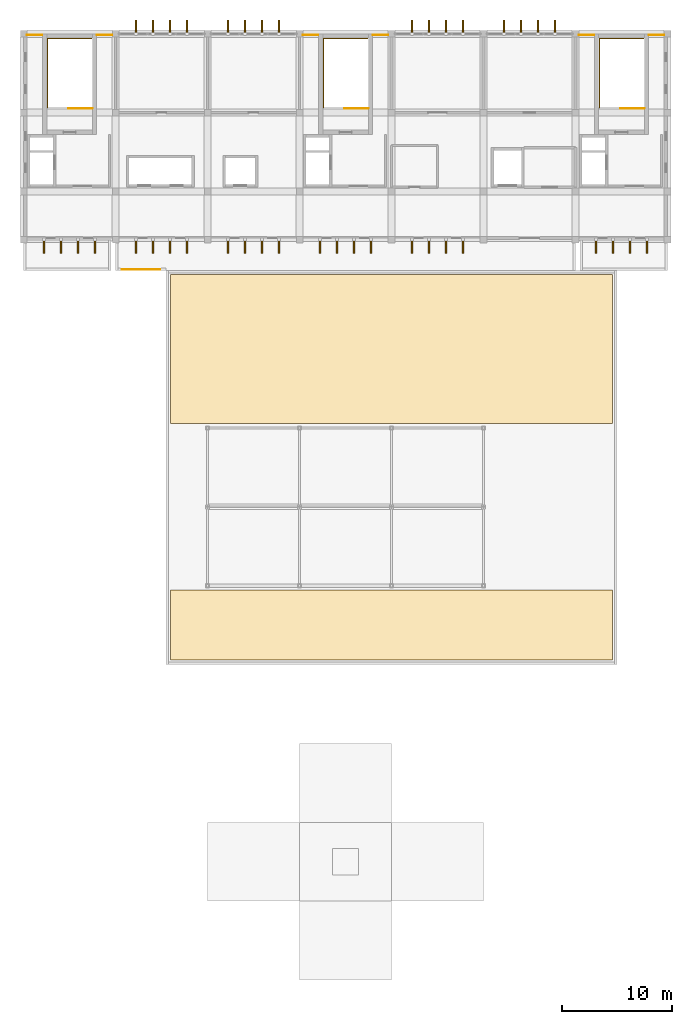
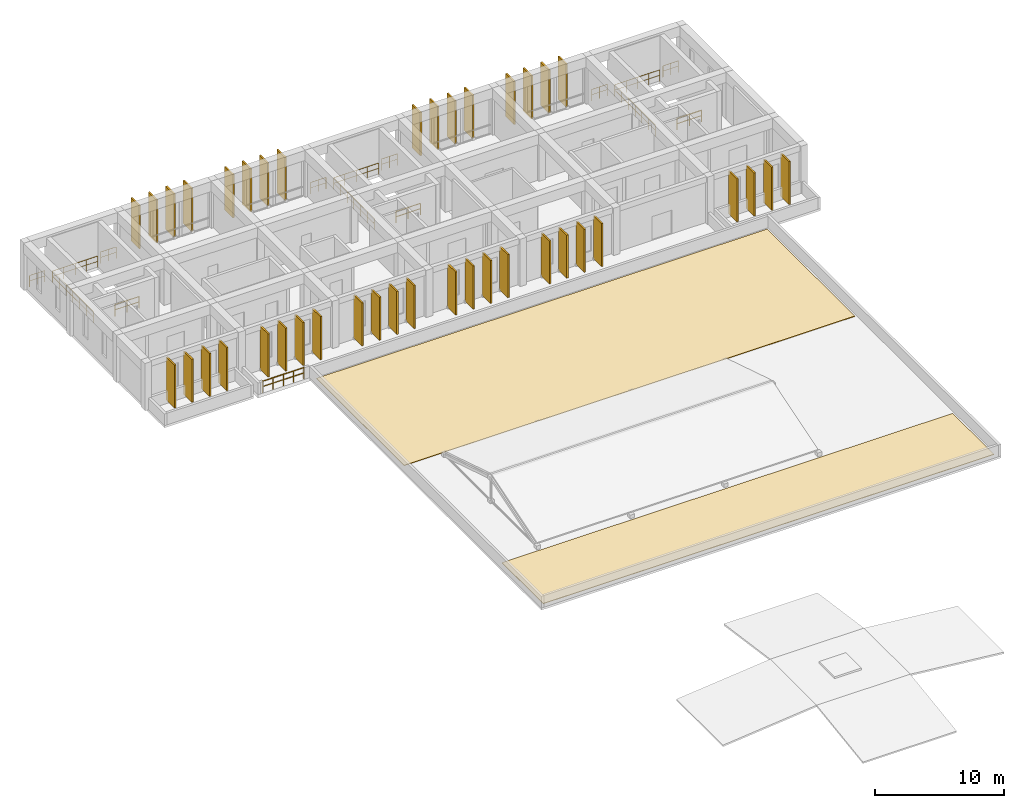
# One storey, part 16 of 16: 40 shading devices, 13 railings, 2 coverings.
"""IFC4 building model written with IfcOpenShell, lengths in metres."""

from ifc_helpers import new_model, si_unit, direction, frame, origin, origin_2d, place, context, subcontext, project, spatial, polyline, rectangle, circle, outline, extrude, material, layer, layer_set, type_object, element, save


model = new_model("IFC4")

# Units and contexts
model_context = context("Model", 3, precision=1e-05, world=origin(), true_north=direction((0.0, 1.0)))
body_context = subcontext(model_context, "Body", "Model", "MODEL_VIEW")
ifc_project = project(units=[si_unit("LENGTHUNIT", "METRE"), si_unit("AREAUNIT", "SQUARE_METRE"), si_unit("VOLUMEUNIT", "CUBIC_METRE"), si_unit("PLANEANGLEUNIT", "RADIAN"), si_unit("MASSUNIT", "GRAM", prefix="KILO")], contexts=[model_context])

# Site, building, storey
site_placement = place(None, origin())
site = spatial("IfcSite", under=ifc_project, at=site_placement, CompositionType="ELEMENT")
building_placement = place(site_placement, origin())
building = spatial("IfcBuilding", under=site, at=building_placement, Name="Kenerak Square Central Library", CompositionType="ELEMENT")
storey_placement = place(building_placement, frame((0.0, 0.0, 27.840087890625)))
storey = spatial("IfcBuildingStorey", under=building, at=storey_placement, Name="L06", CompositionType="ELEMENT", Elevation=27.840087890625)

# Coverings
ifc_material_1 = material(Name="Standing-seam zinc and rigid insulation", Category="steel")
ifc_layer = layer(ifc_material_1, 0.050048828125)
ifc_layer_set = layer_set([ifc_layer], Name="Standing-seam zinc and rigid insulation")
covering_type = type_object("IfcCoveringType", Name="Insulated Waterproofed Roof Membrane CV-ROOF", PredefinedType="ROOFING", material=ifc_layer_set)
covering_1_placement = place(storey_placement, origin())
element("IfcCovering", 1, at=covering_1_placement, inside=storey, type_object=covering_type, Name="Waterproofed Roof Membrane L06 03", PredefinedType="ROOFING", context=body_context, shape_type="SweptSolid", body=[
    extrude(outline(polyline([(71.800048828125, 53.199951171875), (112.199951171875, 53.199951171875), (112.199951171875, 59.60009765625), (71.800048828125, 59.60009765625), (71.800048828125, 53.199951171875)])), origin(), (0.0, 0.0, 1.0), 0.0498046875),
])
covering_2_placement = place(storey_placement, origin())
element("IfcCovering", 2, at=covering_2_placement, inside=storey, type_object=covering_type, Name="Waterproofed Roof Membrane L06 04", PredefinedType="ROOFING", context=body_context, shape_type="SweptSolid", body=[
    extrude(outline(polyline([(71.800048828125, 74.800048828125), (112.199951171875, 74.800048828125), (112.199951171875, 88.39990234375), (71.800048828125, 88.39990234375), (71.800048828125, 74.800048828125)])), origin(), (0.0, 0.0, 1.0), 0.0498046875),
])

# Shading devices
ifc_material_2 = material(Name="White precast concrete C40/50", Category="concrete")
shading_device_type = type_object("IfcShadingDeviceType", Name="Precast Vertical Solar Fin SF-1280 C40/50", PredefinedType="USERDEFINED", material=ifc_material_2)
for number, where, z_axis, x_axis, name in (
    (3, (115.340087890625, 90.97998046875, 0.099853515625), (0.0, 0.0, 1.0), (-1.0, 0.0, 0.0), "Precast Solar Fin FIN-01 L06 0435"),
    (4, (113.780029296875, 90.97998046875, 0.099853515625), (0.0, 0.0, 1.0), (-1.0, 0.0, 0.0), "Precast Solar Fin FIN-01 L06 0436"),
    (5, (112.219970703125, 90.97998046875, 0.099853515625), (0.0, 0.0, 1.0), (-1.0, 0.0, 0.0), "Precast Solar Fin FIN-01 L06 0437"),
    (6, (110.659912109375, 90.97998046875, 0.099853515625), (0.0, 0.0, 1.0), (-1.0, 0.0, 0.0), "Precast Solar Fin FIN-01 L06 0438"),
    (7, (98.5400390625, 90.97998046875, 0.099853515625), (0.0, 0.0, 1.0), (-1.0, 0.0, 0.0), "Precast Solar Fin FIN-01 L06 0439"),
    (8, (96.97998046875, 90.97998046875, 0.099853515625), (0.0, 0.0, 1.0), (-1.0, 0.0, 0.0), "Precast Solar Fin FIN-01 L06 0440"),
    (9, (95.419921875, 90.97998046875, 0.099853515625), (0.0, 0.0, 1.0), (-1.0, 0.0, 0.0), "Precast Solar Fin FIN-01 L06 0441"),
    (10, (93.860107421875, 90.97998046875, 0.099853515625), (0.0, 0.0, 1.0), (-1.0, 0.0, 0.0), "Precast Solar Fin FIN-01 L06 0442"),
    (11, (90.139892578125, 90.97998046875, 0.099853515625), (0.0, 0.0, 1.0), (-1.0, 0.0, 0.0), "Precast Solar Fin FIN-01 L06 0443"),
    (12, (88.580078125, 90.97998046875, 0.099853515625), (0.0, 0.0, 1.0), (-1.0, 0.0, 0.0), "Precast Solar Fin FIN-01 L06 0444"),
    (13, (87.02001953125, 90.97998046875, 0.099853515625), (0.0, 0.0, 1.0), (-1.0, 0.0, 0.0), "Precast Solar Fin FIN-01 L06 0445"),
    (14, (85.4599609375, 90.97998046875, 0.099853515625), (0.0, 0.0, 1.0), (-1.0, 0.0, 0.0), "Precast Solar Fin FIN-01 L06 0446"),
    (15, (81.739990234375, 90.97998046875, 0.099853515625), (0.0, 0.0, 1.0), (-1.0, 0.0, 0.0), "Precast Solar Fin FIN-01 L06 0447"),
    (16, (80.179931640625, 90.97998046875, 0.099853515625), (0.0, 0.0, 1.0), (-1.0, 0.0, 0.0), "Precast Solar Fin FIN-01 L06 0448"),
    (17, (78.6201171875, 90.97998046875, 0.099853515625), (0.0, 0.0, 1.0), (-1.0, 0.0, 0.0), "Precast Solar Fin FIN-01 L06 0449"),
    (18, (77.06005859375, 90.97998046875, 0.099853515625), (0.0, 0.0, 1.0), (-1.0, 0.0, 0.0), "Precast Solar Fin FIN-01 L06 0450"),
    (19, (73.340087890625, 90.97998046875, 0.099853515625), (0.0, 0.0, 1.0), (-1.0, 0.0, 0.0), "Precast Solar Fin FIN-01 L06 0451"),
    (20, (71.780029296875, 90.97998046875, 0.099853515625), (0.0, 0.0, 1.0), (-1.0, 0.0, 0.0), "Precast Solar Fin FIN-01 L06 0452"),
    (21, (70.219970703125, 90.97998046875, 0.099853515625), (0.0, 0.0, 1.0), (-1.0, 0.0, 0.0), "Precast Solar Fin FIN-01 L06 0453"),
    (22, (68.659912109375, 90.97998046875, 0.099853515625), (0.0, 0.0, 1.0), (-1.0, 0.0, 0.0), "Precast Solar Fin FIN-01 L06 0454"),
    (23, (64.93994140625, 90.97998046875, 0.099853515625), (0.0, 0.0, 1.0), (-1.0, 0.0, 0.0), "Precast Solar Fin FIN-01 L06 0455"),
    (24, (63.3798828125, 90.97998046875, 0.099853515625), (0.0, 0.0, 1.0), (-1.0, 0.0, 0.0), "Precast Solar Fin FIN-01 L06 0456"),
    (25, (61.820068359375, 90.97998046875, 0.099853515625), (0.0, 0.0, 1.0), (-1.0, 0.0, 0.0), "Precast Solar Fin FIN-01 L06 0457"),
    (26, (60.260009765625, 90.97998046875, 0.099853515625), (0.0, 0.0, 1.0), (-1.0, 0.0, 0.0), "Precast Solar Fin FIN-01 L06 0458"),
    (27, (68.659912109375, 111.02001953125, 0.099853515625), (0.0, 0.0, 1.0), (1.0, 0.0, 0.0), "Precast Solar Fin FIN-01 L06 0459"),
    (28, (70.219970703125, 111.02001953125, 0.099853515625), (0.0, 0.0, 1.0), (1.0, 0.0, 0.0), "Precast Solar Fin FIN-01 L06 0460"),
    (29, (71.780029296875, 111.02001953125, 0.099853515625), (0.0, 0.0, 1.0), (1.0, 0.0, 0.0), "Precast Solar Fin FIN-01 L06 0461"),
    (30, (73.340087890625, 111.02001953125, 0.099853515625), (0.0, 0.0, 1.0), (1.0, 0.0, 0.0), "Precast Solar Fin FIN-01 L06 0462"),
    (31, (77.06005859375, 111.02001953125, 0.099853515625), (0.0, 0.0, 1.0), (1.0, 0.0, 0.0), "Precast Solar Fin FIN-01 L06 0463"),
    (32, (78.6201171875, 111.02001953125, 0.099853515625), (0.0, 0.0, 1.0), (1.0, 0.0, 0.0), "Precast Solar Fin FIN-01 L06 0464"),
    (33, (80.179931640625, 111.02001953125, 0.099853515625), (0.0, 0.0, 1.0), (1.0, 0.0, 0.0), "Precast Solar Fin FIN-01 L06 0465"),
    (34, (81.739990234375, 111.02001953125, 0.099853515625), (0.0, 0.0, 1.0), (1.0, 0.0, 0.0), "Precast Solar Fin FIN-01 L06 0466"),
    (35, (93.860107421875, 111.02001953125, 0.099853515625), (0.0, 0.0, 1.0), (1.0, 0.0, 0.0), "Precast Solar Fin FIN-01 L06 0467"),
    (36, (95.419921875, 111.02001953125, 0.099853515625), (0.0, 0.0, 1.0), (1.0, 0.0, 0.0), "Precast Solar Fin FIN-01 L06 0468"),
    (37, (96.97998046875, 111.02001953125, 0.099853515625), (0.0, 0.0, 1.0), (1.0, 0.0, 0.0), "Precast Solar Fin FIN-01 L06 0469"),
    (38, (98.5400390625, 111.02001953125, 0.099853515625), (0.0, 0.0, 1.0), (1.0, 0.0, 0.0), "Precast Solar Fin FIN-01 L06 0470"),
    (39, (102.260009765625, 111.02001953125, 0.099853515625), (0.0, 0.0, 1.0), (1.0, 0.0, 0.0), "Precast Solar Fin FIN-01 L06 0471"),
    (40, (103.820068359375, 111.02001953125, 0.099853515625), (0.0, 0.0, 1.0), (1.0, 0.0, 0.0), "Precast Solar Fin FIN-01 L06 0472"),
    (41, (105.3798828125, 111.02001953125, 0.099853515625), (0.0, 0.0, 1.0), (1.0, 0.0, 0.0), "Precast Solar Fin FIN-01 L06 0473"),
    (42, (106.93994140625, 111.02001953125, 0.099853515625), (0.0, 0.0, 1.0), (1.0, 0.0, 0.0), "Precast Solar Fin FIN-01 L06 0474"),
):
    element("IfcShadingDevice", number, at=place(storey_placement, frame(where, z_axis=z_axis, x_axis=x_axis)), inside=storey, type_object=shading_device_type, Name=name, ObjectType="FIN", PredefinedType="USERDEFINED", context=body_context, shape_type="SweptSolid", body=[
        extrude(rectangle(XDim=0.139892578125, YDim=1.280029296875, at=origin_2d()), origin(), (0.0, 0.0, 1.0), 4.080078125),
    ])

# Railings
ifc_material_3 = material(Name="Steel S355", Category="steel")
railing_type = type_object("IfcRailingType", Name="Safety Guardrail GR-1100 S355", PredefinedType="GUARDRAIL", material=ifc_material_3)
railing_1_placement = place(storey_placement, frame((64.679931640625, 103.60009765625, 0.0)))
element("IfcRailing", 43, at=railing_1_placement, inside=storey, type_object=railing_type, Name="L06 ST-01 top well guard 1", PredefinedType="GUARDRAIL", context=body_context, shape_type="SweptSolid", body=[
    extrude(circle(Radius=0.02392578125, at=origin_2d()), frame((0.0, 0.0, 1.076171875), z_axis=(-1.0, 0.0, 0.0), x_axis=(0.0, -1.0, 0.0)), (0.0, 0.0, 1.0), 2.179931640625),
    extrude(circle(Radius=0.01806640625, at=origin_2d()), frame((0.0, 0.0, 0.572021484375), z_axis=(-1.0, 0.0, 0.0), x_axis=(0.0, -1.0, 0.0)), (0.0, 0.0, 1.0), 2.179931640625),
    extrude(circle(Radius=0.02099609375, at=origin_2d()), origin(), (0.0, 0.0, 1.0), 1.052001953125),
    extrude(circle(Radius=0.02099609375, at=origin_2d()), frame((-1.08984375, 0.0, 0.0)), (0.0, 0.0, 1.0), 1.052001953125),
    extrude(circle(Radius=0.02099609375, at=origin_2d()), frame((-2.179931640625, 0.0, 0.0)), (0.0, 0.0, 1.0), 1.052001953125),
])
railing_2_placement = place(storey_placement, frame((60.580078125, 103.64990234375, 0.0)))
element("IfcRailing", 44, at=railing_2_placement, inside=storey, type_object=railing_type, Name="Stair Well Floor Guard ST-01 L06", PredefinedType="GUARDRAIL", context=body_context, shape_type="SweptSolid", body=[
    extrude(circle(Radius=0.02392578125, at=origin_2d()), frame((0.0, 0.0, 1.076171875), z_axis=(0.0, 1.0, 0.0), x_axis=(-1.0, 0.0, 0.0)), (0.0, 0.0, 1.0), 6.300048828125),
    extrude(circle(Radius=0.01806640625, at=origin_2d()), frame((0.0, 0.0, 0.572021484375), z_axis=(0.0, 1.0, 0.0), x_axis=(-1.0, 0.0, 0.0)), (0.0, 0.0, 1.0), 6.300048828125),
    extrude(circle(Radius=0.02392578125, at=origin_2d()), frame((0.0, 6.300048828125, 1.076171875), z_axis=(1.0, 0.0, 0.0), x_axis=(0.0, 1.0, 0.0)), (0.0, 0.0, 1.0), 4.0400390625),
    extrude(circle(Radius=0.01806640625, at=origin_2d()), frame((0.0, 6.300048828125, 0.572021484375), z_axis=(1.0, 0.0, 0.0), x_axis=(0.0, 1.0, 0.0)), (0.0, 0.0, 1.0), 4.0400390625),
    extrude(circle(Radius=0.02099609375, at=origin_2d()), origin(), (0.0, 0.0, 1.0), 1.052001953125),
    extrude(circle(Radius=0.02099609375, at=origin_2d()), frame((0.0, 1.050048828125, 0.0)), (0.0, 0.0, 1.0), 1.052001953125),
    extrude(circle(Radius=0.02099609375, at=origin_2d()), frame((0.0, 2.10009765625, 0.0)), (0.0, 0.0, 1.0), 1.052001953125),
    extrude(circle(Radius=0.02099609375, at=origin_2d()), frame((0.0, 3.14990234375, 0.0)), (0.0, 0.0, 1.0), 1.052001953125),
    extrude(circle(Radius=0.02099609375, at=origin_2d()), frame((0.0, 4.199951171875, 0.0)), (0.0, 0.0, 1.0), 1.052001953125),
    extrude(circle(Radius=0.02099609375, at=origin_2d()), frame((0.0, 5.25, 0.0)), (0.0, 0.0, 1.0), 1.052001953125),
    extrude(circle(Radius=0.02099609375, at=origin_2d()), frame((0.0, 6.300048828125, 0.0)), (0.0, 0.0, 1.0), 1.052001953125),
    extrude(circle(Radius=0.02099609375, at=origin_2d()), frame((1.010009765625, 6.300048828125, 0.0)), (0.0, 0.0, 1.0), 1.052001953125),
    extrude(circle(Radius=0.02099609375, at=origin_2d()), frame((2.02001953125, 6.300048828125, 0.0)), (0.0, 0.0, 1.0), 1.052001953125),
    extrude(circle(Radius=0.02099609375, at=origin_2d()), frame((3.030029296875, 6.300048828125, 0.0)), (0.0, 0.0, 1.0), 1.052001953125),
    extrude(circle(Radius=0.02099609375, at=origin_2d()), frame((4.0400390625, 6.300048828125, 0.0)), (0.0, 0.0, 1.0), 1.052001953125),
])
railing_3_placement = place(storey_placement, frame((89.8798828125, 103.60009765625, 0.0)))
element("IfcRailing", 45, at=railing_3_placement, inside=storey, type_object=railing_type, Name="L06 ST-02 top well guard 1", PredefinedType="GUARDRAIL", context=body_context, shape_type="SweptSolid", body=[
    extrude(circle(Radius=0.02392578125, at=origin_2d()), frame((0.0, 0.0, 1.076171875), z_axis=(-1.0, 0.0, 0.0), x_axis=(0.0, -1.0, 0.0)), (0.0, 0.0, 1.0), 2.179931640625),
    extrude(circle(Radius=0.01806640625, at=origin_2d()), frame((0.0, 0.0, 0.572021484375), z_axis=(-1.0, 0.0, 0.0), x_axis=(0.0, -1.0, 0.0)), (0.0, 0.0, 1.0), 2.179931640625),
    extrude(circle(Radius=0.02099609375, at=origin_2d()), origin(), (0.0, 0.0, 1.0), 1.052001953125),
    extrude(circle(Radius=0.02099609375, at=origin_2d()), frame((-1.08984375, 0.0, 0.0)), (0.0, 0.0, 1.0), 1.052001953125),
    extrude(circle(Radius=0.02099609375, at=origin_2d()), frame((-2.179931640625, 0.0, 0.0)), (0.0, 0.0, 1.0), 1.052001953125),
])
railing_4_placement = place(storey_placement, frame((85.780029296875, 103.64990234375, 0.0)))
element("IfcRailing", 46, at=railing_4_placement, inside=storey, type_object=railing_type, Name="Stair Well Floor Guard ST-02 L06", PredefinedType="GUARDRAIL", context=body_context, shape_type="SweptSolid", body=[
    extrude(circle(Radius=0.02392578125, at=origin_2d()), frame((0.0, 0.0, 1.076171875), z_axis=(0.0, 1.0, 0.0), x_axis=(-1.0, 0.0, 0.0)), (0.0, 0.0, 1.0), 6.300048828125),
    extrude(circle(Radius=0.01806640625, at=origin_2d()), frame((0.0, 0.0, 0.572021484375), z_axis=(0.0, 1.0, 0.0), x_axis=(-1.0, 0.0, 0.0)), (0.0, 0.0, 1.0), 6.300048828125),
    extrude(circle(Radius=0.02392578125, at=origin_2d()), frame((0.0, 6.300048828125, 1.076171875), z_axis=(1.0, 0.0, 0.0), x_axis=(0.0, 1.0, 0.0)), (0.0, 0.0, 1.0), 4.0400390625),
    extrude(circle(Radius=0.01806640625, at=origin_2d()), frame((0.0, 6.300048828125, 0.572021484375), z_axis=(1.0, 0.0, 0.0), x_axis=(0.0, 1.0, 0.0)), (0.0, 0.0, 1.0), 4.0400390625),
    extrude(circle(Radius=0.02099609375, at=origin_2d()), origin(), (0.0, 0.0, 1.0), 1.052001953125),
    extrude(circle(Radius=0.02099609375, at=origin_2d()), frame((0.0, 1.050048828125, 0.0)), (0.0, 0.0, 1.0), 1.052001953125),
    extrude(circle(Radius=0.02099609375, at=origin_2d()), frame((0.0, 2.10009765625, 0.0)), (0.0, 0.0, 1.0), 1.052001953125),
    extrude(circle(Radius=0.02099609375, at=origin_2d()), frame((0.0, 3.14990234375, 0.0)), (0.0, 0.0, 1.0), 1.052001953125),
    extrude(circle(Radius=0.02099609375, at=origin_2d()), frame((0.0, 4.199951171875, 0.0)), (0.0, 0.0, 1.0), 1.052001953125),
    extrude(circle(Radius=0.02099609375, at=origin_2d()), frame((0.0, 5.25, 0.0)), (0.0, 0.0, 1.0), 1.052001953125),
    extrude(circle(Radius=0.02099609375, at=origin_2d()), frame((0.0, 6.300048828125, 0.0)), (0.0, 0.0, 1.0), 1.052001953125),
    extrude(circle(Radius=0.02099609375, at=origin_2d()), frame((1.010009765625, 6.300048828125, 0.0)), (0.0, 0.0, 1.0), 1.052001953125),
    extrude(circle(Radius=0.02099609375, at=origin_2d()), frame((2.02001953125, 6.300048828125, 0.0)), (0.0, 0.0, 1.0), 1.052001953125),
    extrude(circle(Radius=0.02099609375, at=origin_2d()), frame((3.030029296875, 6.300048828125, 0.0)), (0.0, 0.0, 1.0), 1.052001953125),
    extrude(circle(Radius=0.02099609375, at=origin_2d()), frame((4.0400390625, 6.300048828125, 0.0)), (0.0, 0.0, 1.0), 1.052001953125),
])
railing_5_placement = place(storey_placement, frame((115.080078125, 103.60009765625, 0.0)))
element("IfcRailing", 47, at=railing_5_placement, inside=storey, type_object=railing_type, Name="L06 ST-03 top well guard 1", PredefinedType="GUARDRAIL", context=body_context, shape_type="SweptSolid", body=[
    extrude(circle(Radius=0.02392578125, at=origin_2d()), frame((0.0, 0.0, 1.076171875), z_axis=(-1.0, 0.0, 0.0), x_axis=(0.0, -1.0, 0.0)), (0.0, 0.0, 1.0), 2.18017578125),
    extrude(circle(Radius=0.01806640625, at=origin_2d()), frame((0.0, 0.0, 0.572021484375), z_axis=(-1.0, 0.0, 0.0), x_axis=(0.0, -1.0, 0.0)), (0.0, 0.0, 1.0), 2.18017578125),
    extrude(circle(Radius=0.02099609375, at=origin_2d()), origin(), (0.0, 0.0, 1.0), 1.052001953125),
    extrude(circle(Radius=0.02099609375, at=origin_2d()), frame((-1.090087890625, 0.0, 0.0)), (0.0, 0.0, 1.0), 1.052001953125),
    extrude(circle(Radius=0.02099609375, at=origin_2d()), frame((-2.18017578125, 0.0, 0.0)), (0.0, 0.0, 1.0), 1.052001953125),
])
railing_6_placement = place(storey_placement, frame((110.97998046875, 103.64990234375, 0.0)))
element("IfcRailing", 48, at=railing_6_placement, inside=storey, type_object=railing_type, Name="Stair Well Floor Guard ST-03 L06", PredefinedType="GUARDRAIL", context=body_context, shape_type="SweptSolid", body=[
    extrude(circle(Radius=0.02392578125, at=origin_2d()), frame((0.0, 0.0, 1.076171875), z_axis=(0.0, 1.0, 0.0), x_axis=(-1.0, 0.0, 0.0)), (0.0, 0.0, 1.0), 6.300048828125),
    extrude(circle(Radius=0.01806640625, at=origin_2d()), frame((0.0, 0.0, 0.572021484375), z_axis=(0.0, 1.0, 0.0), x_axis=(-1.0, 0.0, 0.0)), (0.0, 0.0, 1.0), 6.300048828125),
    extrude(circle(Radius=0.02392578125, at=origin_2d()), frame((0.0, 6.300048828125, 1.076171875), z_axis=(1.0, 0.0, 0.0), x_axis=(0.0, 1.0, 0.0)), (0.0, 0.0, 1.0), 4.0400390625),
    extrude(circle(Radius=0.01806640625, at=origin_2d()), frame((0.0, 6.300048828125, 0.572021484375), z_axis=(1.0, 0.0, 0.0), x_axis=(0.0, 1.0, 0.0)), (0.0, 0.0, 1.0), 4.0400390625),
    extrude(circle(Radius=0.02099609375, at=origin_2d()), origin(), (0.0, 0.0, 1.0), 1.052001953125),
    extrude(circle(Radius=0.02099609375, at=origin_2d()), frame((0.0, 1.050048828125, 0.0)), (0.0, 0.0, 1.0), 1.052001953125),
    extrude(circle(Radius=0.02099609375, at=origin_2d()), frame((0.0, 2.10009765625, 0.0)), (0.0, 0.0, 1.0), 1.052001953125),
    extrude(circle(Radius=0.02099609375, at=origin_2d()), frame((0.0, 3.14990234375, 0.0)), (0.0, 0.0, 1.0), 1.052001953125),
    extrude(circle(Radius=0.02099609375, at=origin_2d()), frame((0.0, 4.199951171875, 0.0)), (0.0, 0.0, 1.0), 1.052001953125),
    extrude(circle(Radius=0.02099609375, at=origin_2d()), frame((0.0, 5.25, 0.0)), (0.0, 0.0, 1.0), 1.052001953125),
    extrude(circle(Radius=0.02099609375, at=origin_2d()), frame((0.0, 6.300048828125, 0.0)), (0.0, 0.0, 1.0), 1.052001953125),
    extrude(circle(Radius=0.02099609375, at=origin_2d()), frame((1.010009765625, 6.300048828125, 0.0)), (0.0, 0.0, 1.0), 1.052001953125),
    extrude(circle(Radius=0.02099609375, at=origin_2d()), frame((2.02001953125, 6.300048828125, 0.0)), (0.0, 0.0, 1.0), 1.052001953125),
    extrude(circle(Radius=0.02099609375, at=origin_2d()), frame((3.030029296875, 6.300048828125, 0.0)), (0.0, 0.0, 1.0), 1.052001953125),
    extrude(circle(Radius=0.02099609375, at=origin_2d()), frame((4.0400390625, 6.300048828125, 0.0)), (0.0, 0.0, 1.0), 1.052001953125),
])
railing_7_placement = place(storey_placement, frame((67.25, 88.8798828125, 0.0)))
element("IfcRailing", 49, at=railing_7_placement, inside=storey, type_object=railing_type, Name="Scholars South Reading Terrace L06 Guardrail S", PredefinedType="GUARDRAIL", context=body_context, shape_type="SweptSolid", body=[
    extrude(circle(Radius=0.02392578125, at=origin_2d()), frame((0.0, 0.0, 1.076171875), z_axis=(1.0, 0.0, 0.0), x_axis=(0.0, 1.0, 0.0)), (0.0, 0.0, 1.0), 3.699951171875),
    extrude(circle(Radius=0.01806640625, at=origin_2d()), frame((0.0, 0.0, 0.572021484375), z_axis=(1.0, 0.0, 0.0), x_axis=(0.0, 1.0, 0.0)), (0.0, 0.0, 1.0), 3.699951171875),
    extrude(circle(Radius=0.02099609375, at=origin_2d()), origin(), (0.0, 0.0, 1.0), 1.052001953125),
    extrude(circle(Radius=0.02099609375, at=origin_2d()), frame((0.925048828125, 0.0, 0.0)), (0.0, 0.0, 1.0), 1.052001953125),
    extrude(circle(Radius=0.02099609375, at=origin_2d()), frame((1.85009765625, 0.0, 0.0)), (0.0, 0.0, 1.0), 1.052001953125),
    extrude(circle(Radius=0.02099609375, at=origin_2d()), frame((2.77490234375, 0.0, 0.0)), (0.0, 0.0, 1.0), 1.052001953125),
    extrude(circle(Radius=0.02099609375, at=origin_2d()), frame((3.699951171875, 0.0, 0.0)), (0.0, 0.0, 1.0), 1.052001953125),
])
for number, where, name in (
    (50, (58.721923828125, 110.300048828125, 0.0), "Perimeter Edge Guardrail L06 59-1"),
    (51, (65.10205078125, 110.300048828125, 0.0), "Perimeter Edge Guardrail L06 65-2"),
    (52, (83.922119140625, 110.300048828125, 0.0), "Perimeter Edge Guardrail L06 84-1"),
    (53, (90.302001953125, 110.300048828125, 0.0), "Perimeter Edge Guardrail L06 90-2"),
    (54, (109.1220703125, 110.300048828125, 0.0), "Perimeter Edge Guardrail L06 109-1"),
    (55, (115.501953125, 110.300048828125, 0.0), "Perimeter Edge Guardrail L06 115-2"),
):
    element("IfcRailing", number, at=place(storey_placement, frame(where)), inside=storey, type_object=railing_type, Name=name, PredefinedType="GUARDRAIL", context=body_context, shape_type="SweptSolid", body=[
        extrude(circle(Radius=0.02392578125, at=origin_2d()), frame((0.0, 0.0, 1.076171875), z_axis=(1.0, 0.0, 0.0), x_axis=(0.0, 1.0, 0.0)), (0.0, 0.0, 1.0), 1.3759765625),
        extrude(circle(Radius=0.01806640625, at=origin_2d()), frame((0.0, 0.0, 0.572021484375), z_axis=(1.0, 0.0, 0.0), x_axis=(0.0, 1.0, 0.0)), (0.0, 0.0, 1.0), 1.3759765625),
        extrude(circle(Radius=0.02099609375, at=origin_2d()), origin(), (0.0, 0.0, 1.0), 1.052001953125),
        extrude(circle(Radius=0.02099609375, at=origin_2d()), frame((0.68798828125, 0.0, 0.0)), (0.0, 0.0, 1.0), 1.052001953125),
        extrude(circle(Radius=0.02099609375, at=origin_2d()), frame((1.3759765625, 0.0, 0.0)), (0.0, 0.0, 1.0), 1.052001953125),
    ])

save(model, "model.ifc")
